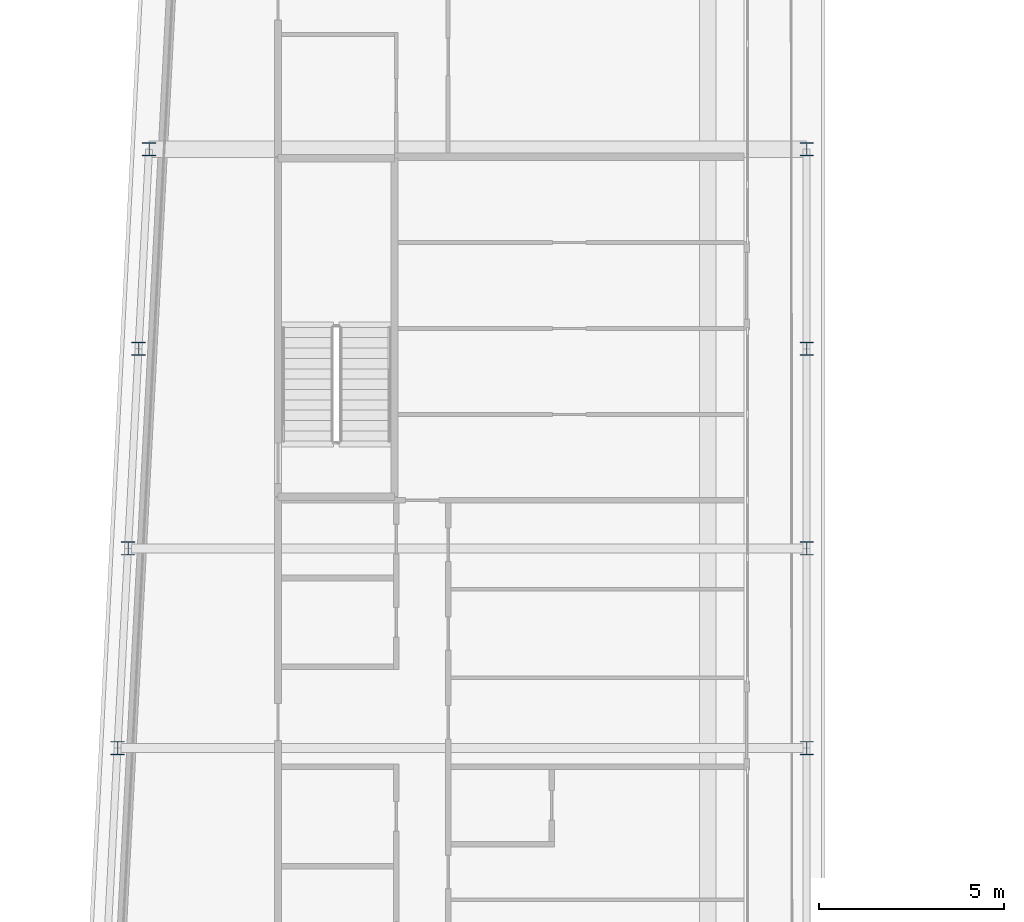
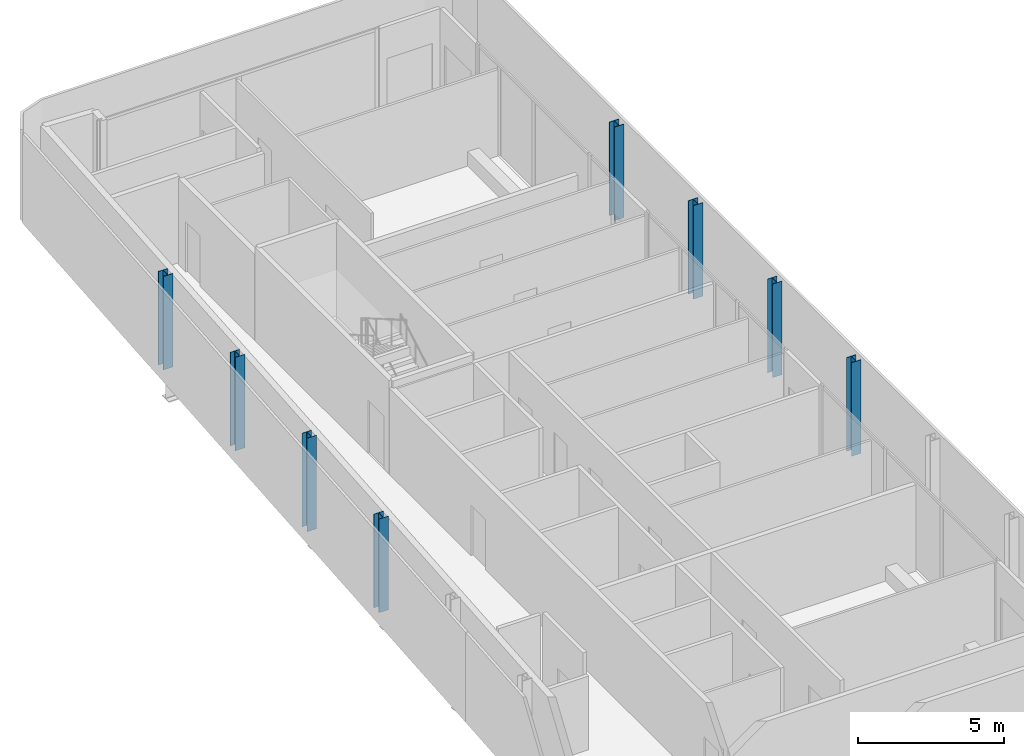
# One storey, part 3 of 18: 8 columns.
"""IFC4 building model written with IfcOpenShell, lengths in metres."""

from ifc_helpers import new_model, si_unit, direction, frame, origin, origin_2d, place, context, subcontext, project, spatial, i_section, extrude, material, material_profile, profile_set, type_object, element, save


model = new_model("IFC4")

# Units and contexts
model_context = context("Model", 3, precision=1e-05, world=origin(), true_north=direction((0.0, 1.0)))
body_context = subcontext(model_context, "Body", "Model", "MODEL_VIEW")
ifc_project = project(units=[si_unit("LENGTHUNIT", "METRE"), si_unit("AREAUNIT", "SQUARE_METRE"), si_unit("VOLUMEUNIT", "CUBIC_METRE"), si_unit("PLANEANGLEUNIT", "RADIAN"), si_unit("MASSUNIT", "GRAM", prefix="KILO")], contexts=[model_context])

# Site, building, storey
site_placement = place(None, origin())
site = spatial("IfcSite", under=ifc_project, at=site_placement, CompositionType="ELEMENT")
building_placement = place(site_placement, origin())
building = spatial("IfcBuilding", under=site, at=building_placement, Name="Kheshtan School and Residences Tower", CompositionType="ELEMENT")
storey_placement = place(building_placement, frame((0.0, 0.0, 361.699951171875)))
storey = spatial("IfcBuildingStorey", under=building, at=storey_placement, Name="L85", CompositionType="ELEMENT", Elevation=361.699951171875)

# Columns
ifc_material = material(Name="Steel ASTM A992 Grade 50", Category="steel")
ifc_material_profile = material_profile(ifc_material, i_section(OverallWidth=0.37109375, OverallDepth=0.364013671875, WebThickness=0.01318359375, FlangeThickness=0.021728515625, FilletRadius=0.010986328125, at=origin_2d()), Name="W360x162")
ifc_profile_set = profile_set([ifc_material_profile], Name="Steel ASTM A992 Grade 50")
column_type = type_object("IfcColumnType", Name="Column C6 W360x162 ASTM A992 Grade 50", PredefinedType="COLUMN", material=ifc_profile_set)
for number, where, z_axis, x_axis, name in (
    (1, (28.9580078125, 72.60009765625, 0.0), (0.0, 0.0, 1.0), (1.0, 0.0, 0.0), "Column C086"),
    (2, (47.60009765625, 72.60009765625, 0.0), (0.0, 0.0, 1.0), (1.0, 0.0, 0.0), "Column C087"),
    (3, (29.242919921875, 78.0, 0.0), (0.0, 0.0, 1.0), (1.0, 0.0, 0.0), "Column C088"),
    (4, (47.60009765625, 78.0, 0.0), (0.0, 0.0, 1.0), (1.0, 0.0, 0.0), "Column C089"),
    (5, (29.527099609375, 83.39990234375, 0.0), (0.0, 0.0, 1.0), (1.0, 0.0, 0.0), "Column C090"),
    (6, (47.60009765625, 83.39990234375, 0.0), (0.0, 0.0, 1.0), (1.0, 0.0, 0.0), "Column C091"),
    (7, (29.81103515625, 88.800048828125, 0.0), (0.0, 0.0, 1.0), (1.0, 0.0, 0.0), "Column C098"),
    (8, (47.60009765625, 88.800048828125, 0.0), (0.0, 0.0, 1.0), (1.0, 0.0, 0.0), "Column C099"),
):
    element("IfcColumn", number, at=place(storey_placement, frame(where, z_axis=z_axis, x_axis=x_axis)), inside=storey, type_object=column_type, Name=name, PredefinedType="COLUMN", context=body_context, shape_type="SweptSolid", body=[
        extrude(i_section(OverallWidth=0.37109375, OverallDepth=0.364013671875, WebThickness=0.01318359375, FlangeThickness=0.021728515625, FilletRadius=0.010986328125, at=origin_2d()), origin(), (0.0, 0.0, 1.0), 3.900146484375),
    ])

save(model, "model.ifc")
